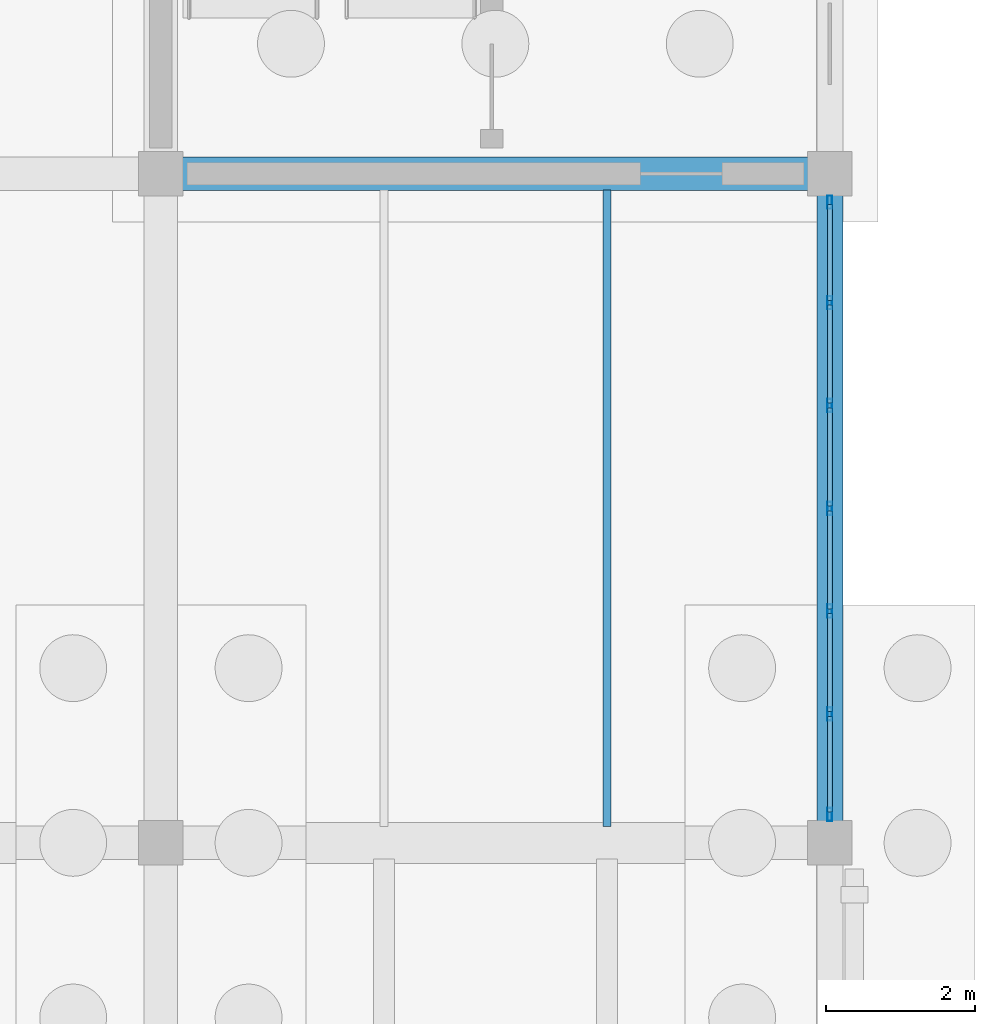
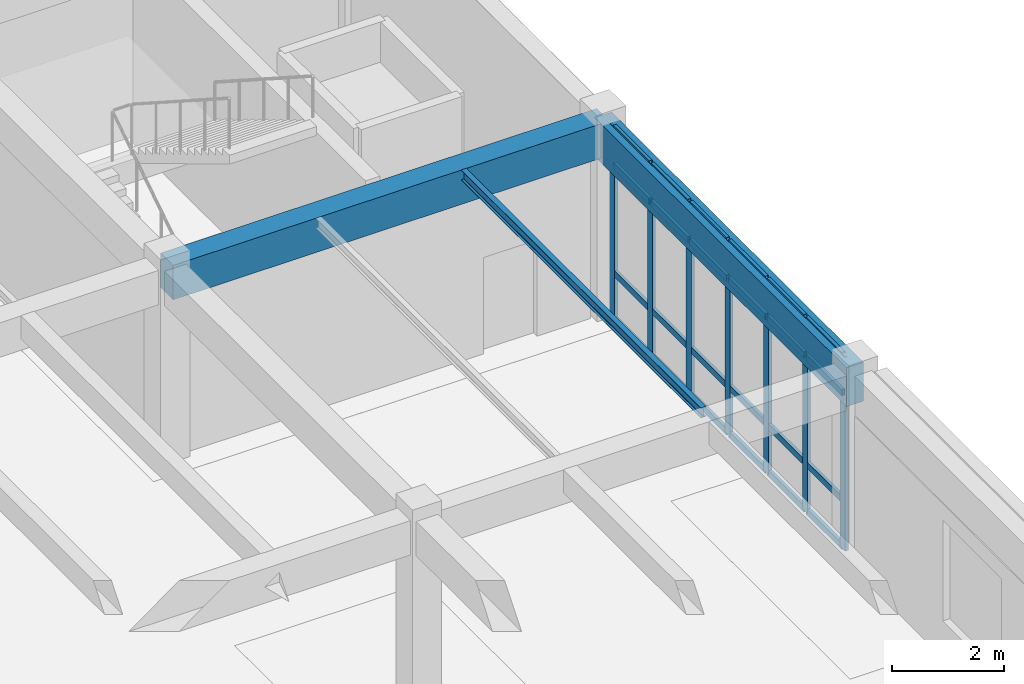
# One storey, part 127 of 186: 31 members, 3 beams, 1 element without a shape of its own.
"""IFC4 building model written with IfcOpenShell, lengths in metres."""

from ifc_helpers import new_model, si_unit, direction, frame, origin, origin_2d, place, context, subcontext, project, spatial, rectangle, hollow_rectangle, i_section, extrude, material, layer, layer_set, material_profile, profile_set, type_object, element, aggregate, save


model = new_model("IFC4")

# Units and contexts
model_context = context("Model", 3, precision=1e-05, world=origin(), true_north=direction((0.0, 1.0)))
body_context = subcontext(model_context, "Body", "Model", "MODEL_VIEW")
ifc_project = project(units=[si_unit("LENGTHUNIT", "METRE"), si_unit("AREAUNIT", "SQUARE_METRE"), si_unit("VOLUMEUNIT", "CUBIC_METRE"), si_unit("PLANEANGLEUNIT", "RADIAN"), si_unit("MASSUNIT", "GRAM", prefix="KILO")], contexts=[model_context])

# Site, building, storey
site_placement = place(None, origin())
site = spatial("IfcSite", under=ifc_project, at=site_placement, CompositionType="ELEMENT")
building_placement = place(site_placement, origin())
building = spatial("IfcBuilding", under=site, at=building_placement, Name="Ornek Quay Market", CompositionType="ELEMENT")
storey_placement = place(building_placement, origin())
storey = spatial("IfcBuildingStorey", under=building, at=storey_placement, Name="L00", CompositionType="ELEMENT", Elevation=0.0)

# Beams
ifc_material_1 = material(Name="Concrete C40/50", Category="concrete")
ifc_material_profile_1 = material_profile(ifc_material_1, rectangle(XDim=0.449951171875, YDim=0.75, at=origin_2d()), Name="RC 450x750", Category="concrete")
ifc_profile_set_1 = profile_set([ifc_material_profile_1], Name="Concrete C40/50")
beam_type_1 = type_object("IfcBeamType", Name="BM-FC-450x750", PredefinedType="BEAM", material=ifc_profile_set_1)
beam_1_placement = place(storey_placement, frame((171.0, 92.0, 3.85498046875), z_axis=(1.0, 0.0, 0.0), x_axis=(0.0, 1.0, 0.0)))
element("IfcBeam", 1, at=beam_1_placement, inside=storey, type_object=beam_type_1, Name="Primary beam B-FC1-023", PredefinedType="BEAM", context=body_context, shape_type="SweptSolid", body=[
    extrude(rectangle(XDim=0.449951171875, YDim=0.75, at=origin_2d()), origin(), (0.0, 0.0, 1.0), 9.0),
])
ifc_material_profile_2 = material_profile(ifc_material_1, rectangle(XDim=0.35009765625, YDim=0.85009765625, at=origin_2d()), Name="RC 350x850", Category="concrete")
ifc_profile_set_2 = profile_set([ifc_material_profile_2], Name="Concrete C40/50")
beam_type_2 = type_object("IfcBeamType", Name="BM-SPN-350x850", PredefinedType="SPANDREL", material=ifc_profile_set_2)
beam_2_placement = place(storey_placement, frame((180.0, 83.0, 3.804931640625), z_axis=(0.0, 1.0, 0.0), x_axis=(-1.0, 0.0, 0.0)))
element("IfcBeam", 2, at=beam_2_placement, inside=storey, type_object=beam_type_2, Name="Primary beam B-SP1-098", PredefinedType="SPANDREL", context=body_context, shape_type="SweptSolid", body=[
    extrude(rectangle(XDim=0.35009765625, YDim=0.85009765625, at=origin_2d()), origin(), (0.0, 0.0, 1.0), 9.0),
])
ifc_material_2 = material(Name="Steel S355", Category="steel")
ifc_material_profile_3 = material_profile(ifc_material_2, i_section(OverallWidth=0.110107421875, OverallDepth=0.219970703125, WebThickness=0.005859375, FlangeThickness=0.00927734375, FilletRadius=0.011962890625, at=origin_2d()), Name="IPE 220", Category="steel")
ifc_profile_set_3 = profile_set([ifc_material_profile_3], Name="Steel S355")
beam_type_3 = type_object("IfcBeamType", Name="BM-STL-IPE220", PredefinedType="JOIST", material=ifc_profile_set_3)
beam_3_placement = place(storey_placement, frame((177.0, 83.217041015625, 4.1201171875), z_axis=(0.0, 1.0, 0.0), x_axis=(-1.0, 0.0, 0.0)))
element("IfcBeam", 3, at=beam_3_placement, inside=storey, type_object=beam_type_3, Name="Secondary joist SB-03-029", PredefinedType="JOIST", context=body_context, shape_type="SweptSolid", body=[
    extrude(i_section(OverallWidth=0.110107421875, OverallDepth=0.219970703125, WebThickness=0.005859375, FlangeThickness=0.00927734375, FilletRadius=0.011962890625, at=origin_2d()), origin(), (0.0, 0.0, 1.0), 8.56591796875),
])

# Curtain wall, members
ifc_material_3 = material(Name="Anodised bronze aluminium and triple low-e glass", Category="aluminium")
ifc_layer = layer(ifc_material_3, 0.18994140625, Name="Anodised bronze aluminium and triple low-e glass", Category="aluminium")
ifc_layer_set = layer_set([ifc_layer], Name="Anodised bronze aluminium and triple low-e glass")
curtain_wall_type = type_object("IfcCurtainWallType", Name="CW-FC-MOD1500", PredefinedType="USERDEFINED", material=ifc_layer_set)
curtain_wall_placement = place(storey_placement, origin())
curtain_wall = element("IfcCurtainWall", 4, at=curtain_wall_placement, inside=storey, type_object=curtain_wall_type, Name="Curtain wall CW-081", ObjectType="CURTAIN WALL", PredefinedType="USERDEFINED")
ifc_material_4 = material(Name="Anodised aluminium 6063-T6", Category="aluminium")
ifc_material_profile_4 = material_profile(ifc_material_4, hollow_rectangle(XDim=0.06494140625, YDim=0.179931640625, WallThickness=0.00439453125, at=origin_2d()), Name="CW-MUL-65x180", Category="aluminium")
ifc_profile_set_4 = profile_set([ifc_material_profile_4], Name="Anodised aluminium 6063-T6")
member_type_1 = type_object("IfcMemberType", Name="CW-MUL-65x180", PredefinedType="MULLION", material=ifc_profile_set_4)
member_1_placement = place(storey_placement, frame((180.0, 83.382568359375, 0.0), z_axis=(0.0, 0.0, 1.0), x_axis=(-1.0, 0.0, 0.0)))
member_1 = element("IfcMember", 5, at=member_1_placement, type_object=member_type_1, Name="CW-081 mullion 1", PredefinedType="MULLION", context=body_context, shape_type="SweptSolid", body=[
    extrude(hollow_rectangle(XDim=0.06494140625, YDim=0.179931640625, WallThickness=0.00439453125, at=origin_2d()), origin(), (0.0, 0.0, 1.0), 4.22998046875),
])
member_2_placement = place(storey_placement, frame((180.0, 84.7333984375, 0.0), z_axis=(0.0, 0.0, 1.0), x_axis=(-1.0, 0.0, 0.0)))
member_2 = element("IfcMember", 6, at=member_2_placement, type_object=member_type_1, Name="CW-081 mullion 2", PredefinedType="MULLION", context=body_context, shape_type="SweptSolid", body=[
    extrude(hollow_rectangle(XDim=0.06494140625, YDim=0.179931640625, WallThickness=0.00439453125, at=origin_2d()), origin(), (0.0, 0.0, 1.0), 4.22998046875),
])
member_3_placement = place(storey_placement, frame((180.0, 86.11669921875, 0.0), z_axis=(0.0, 0.0, 1.0), x_axis=(-1.0, 0.0, 0.0)))
member_3 = element("IfcMember", 7, at=member_3_placement, type_object=member_type_1, Name="CW-081 mullion 3", PredefinedType="MULLION", context=body_context, shape_type="SweptSolid", body=[
    extrude(hollow_rectangle(XDim=0.06494140625, YDim=0.179931640625, WallThickness=0.00439453125, at=origin_2d()), origin(), (0.0, 0.0, 1.0), 4.22998046875),
])
member_4_placement = place(storey_placement, frame((180.0, 87.5, 0.0), z_axis=(0.0, 0.0, 1.0), x_axis=(-1.0, 0.0, 0.0)))
member_4 = element("IfcMember", 8, at=member_4_placement, type_object=member_type_1, Name="CW-081 mullion 4", PredefinedType="MULLION", context=body_context, shape_type="SweptSolid", body=[
    extrude(hollow_rectangle(XDim=0.06494140625, YDim=0.179931640625, WallThickness=0.00439453125, at=origin_2d()), origin(), (0.0, 0.0, 1.0), 4.22998046875),
])
member_5_placement = place(storey_placement, frame((180.0, 88.88330078125, 0.0), z_axis=(0.0, 0.0, 1.0), x_axis=(-1.0, 0.0, 0.0)))
member_5 = element("IfcMember", 9, at=member_5_placement, type_object=member_type_1, Name="CW-081 mullion 5", PredefinedType="MULLION", context=body_context, shape_type="SweptSolid", body=[
    extrude(hollow_rectangle(XDim=0.06494140625, YDim=0.179931640625, WallThickness=0.00439453125, at=origin_2d()), origin(), (0.0, 0.0, 1.0), 4.22998046875),
])
member_6_placement = place(storey_placement, frame((180.0, 90.2666015625, 0.0), z_axis=(0.0, 0.0, 1.0), x_axis=(-1.0, 0.0, 0.0)))
member_6 = element("IfcMember", 10, at=member_6_placement, type_object=member_type_1, Name="CW-081 mullion 6", PredefinedType="MULLION", context=body_context, shape_type="SweptSolid", body=[
    extrude(hollow_rectangle(XDim=0.06494140625, YDim=0.179931640625, WallThickness=0.00439453125, at=origin_2d()), origin(), (0.0, 0.0, 1.0), 4.22998046875),
])
member_7_placement = place(storey_placement, frame((180.0, 91.617431640625, 0.0), z_axis=(0.0, 0.0, 1.0), x_axis=(-1.0, 0.0, 0.0)))
member_7 = element("IfcMember", 11, at=member_7_placement, type_object=member_type_1, Name="CW-081 mullion 7", PredefinedType="MULLION", context=body_context, shape_type="SweptSolid", body=[
    extrude(hollow_rectangle(XDim=0.06494140625, YDim=0.179931640625, WallThickness=0.00439453125, at=origin_2d()), origin(), (0.0, 0.0, 1.0), 4.22998046875),
])
ifc_material_profile_5 = material_profile(ifc_material_4, hollow_rectangle(XDim=0.06494140625, YDim=0.139892578125, WallThickness=0.00439453125, at=origin_2d()), Name="CW-TRN-65x140", Category="aluminium")
ifc_profile_set_5 = profile_set([ifc_material_profile_5], Name="Anodised aluminium 6063-T6")
member_type_2 = type_object("IfcMemberType", Name="CW-TRN-65x140", PredefinedType="USERDEFINED", material=ifc_profile_set_5)
member_8_placement = place(storey_placement, frame((180.0, 83.4150390625, 0.032470703125), z_axis=(0.0, 1.0, 0.0), x_axis=(-1.0, 0.0, 0.0)))
member_8 = element("IfcMember", 12, at=member_8_placement, type_object=member_type_2, Name="CW-081 transom 1.1", ObjectType="TRANSOM", PredefinedType="USERDEFINED", context=body_context, shape_type="SweptSolid", body=[
    extrude(hollow_rectangle(XDim=0.06494140625, YDim=0.139892578125, WallThickness=0.00439453125, at=origin_2d()), origin(), (0.0, 0.0, 1.0), 1.285888671875),
])
member_9_placement = place(storey_placement, frame((180.0, 83.4150390625, 1.050048828125), z_axis=(0.0, 1.0, 0.0), x_axis=(-1.0, 0.0, 0.0)))
member_9 = element("IfcMember", 13, at=member_9_placement, type_object=member_type_2, Name="CW-081 transom 1.2", ObjectType="TRANSOM", PredefinedType="USERDEFINED", context=body_context, shape_type="SweptSolid", body=[
    extrude(hollow_rectangle(XDim=0.06494140625, YDim=0.139892578125, WallThickness=0.00439453125, at=origin_2d()), origin(), (0.0, 0.0, 1.0), 1.285888671875),
])
member_10_placement = place(storey_placement, frame((180.0, 83.4150390625, 3.3798828125), z_axis=(0.0, 1.0, 0.0), x_axis=(-1.0, 0.0, 0.0)))
member_10 = element("IfcMember", 14, at=member_10_placement, type_object=member_type_2, Name="CW-081 transom 1.3", ObjectType="TRANSOM", PredefinedType="USERDEFINED", context=body_context, shape_type="SweptSolid", body=[
    extrude(hollow_rectangle(XDim=0.06494140625, YDim=0.139892578125, WallThickness=0.00439453125, at=origin_2d()), origin(), (0.0, 0.0, 1.0), 1.285888671875),
])
member_11_placement = place(storey_placement, frame((180.0, 83.4150390625, 4.197509765625), z_axis=(0.0, 1.0, 0.0), x_axis=(-1.0, 0.0, 0.0)))
member_11 = element("IfcMember", 15, at=member_11_placement, type_object=member_type_2, Name="CW-081 transom 1.4", ObjectType="TRANSOM", PredefinedType="USERDEFINED", context=body_context, shape_type="SweptSolid", body=[
    extrude(hollow_rectangle(XDim=0.06494140625, YDim=0.139892578125, WallThickness=0.00439453125, at=origin_2d()), origin(), (0.0, 0.0, 1.0), 1.285888671875),
])
member_12_placement = place(storey_placement, frame((180.0, 84.765869140625, 0.032470703125), z_axis=(0.0, 1.0, 0.0), x_axis=(-1.0, 0.0, 0.0)))
member_12 = element("IfcMember", 16, at=member_12_placement, type_object=member_type_2, Name="CW-081 transom 2.1", ObjectType="TRANSOM", PredefinedType="USERDEFINED", context=body_context, shape_type="SweptSolid", body=[
    extrude(hollow_rectangle(XDim=0.06494140625, YDim=0.139892578125, WallThickness=0.00439453125, at=origin_2d()), origin(), (0.0, 0.0, 1.0), 1.318359375),
])
member_13_placement = place(storey_placement, frame((180.0, 84.765869140625, 1.050048828125), z_axis=(0.0, 1.0, 0.0), x_axis=(-1.0, 0.0, 0.0)))
member_13 = element("IfcMember", 17, at=member_13_placement, type_object=member_type_2, Name="CW-081 transom 2.2", ObjectType="TRANSOM", PredefinedType="USERDEFINED", context=body_context, shape_type="SweptSolid", body=[
    extrude(hollow_rectangle(XDim=0.06494140625, YDim=0.139892578125, WallThickness=0.00439453125, at=origin_2d()), origin(), (0.0, 0.0, 1.0), 1.318359375),
])
member_14_placement = place(storey_placement, frame((180.0, 84.765869140625, 3.3798828125), z_axis=(0.0, 1.0, 0.0), x_axis=(-1.0, 0.0, 0.0)))
member_14 = element("IfcMember", 18, at=member_14_placement, type_object=member_type_2, Name="CW-081 transom 2.3", ObjectType="TRANSOM", PredefinedType="USERDEFINED", context=body_context, shape_type="SweptSolid", body=[
    extrude(hollow_rectangle(XDim=0.06494140625, YDim=0.139892578125, WallThickness=0.00439453125, at=origin_2d()), origin(), (0.0, 0.0, 1.0), 1.318359375),
])
member_15_placement = place(storey_placement, frame((180.0, 84.765869140625, 4.197509765625), z_axis=(0.0, 1.0, 0.0), x_axis=(-1.0, 0.0, 0.0)))
member_15 = element("IfcMember", 19, at=member_15_placement, type_object=member_type_2, Name="CW-081 transom 2.4", ObjectType="TRANSOM", PredefinedType="USERDEFINED", context=body_context, shape_type="SweptSolid", body=[
    extrude(hollow_rectangle(XDim=0.06494140625, YDim=0.139892578125, WallThickness=0.00439453125, at=origin_2d()), origin(), (0.0, 0.0, 1.0), 1.318359375),
])
member_16_placement = place(storey_placement, frame((180.0, 86.149169921875, 0.032470703125), z_axis=(0.0, 1.0, 0.0), x_axis=(-1.0, 0.0, 0.0)))
member_16 = element("IfcMember", 20, at=member_16_placement, type_object=member_type_2, Name="CW-081 transom 3.1", ObjectType="TRANSOM", PredefinedType="USERDEFINED", context=body_context, shape_type="SweptSolid", body=[
    extrude(hollow_rectangle(XDim=0.06494140625, YDim=0.139892578125, WallThickness=0.00439453125, at=origin_2d()), origin(), (0.0, 0.0, 1.0), 1.318359375),
])
member_17_placement = place(storey_placement, frame((180.0, 86.149169921875, 1.050048828125), z_axis=(0.0, 1.0, 0.0), x_axis=(-1.0, 0.0, 0.0)))
member_17 = element("IfcMember", 21, at=member_17_placement, type_object=member_type_2, Name="CW-081 transom 3.2", ObjectType="TRANSOM", PredefinedType="USERDEFINED", context=body_context, shape_type="SweptSolid", body=[
    extrude(hollow_rectangle(XDim=0.06494140625, YDim=0.139892578125, WallThickness=0.00439453125, at=origin_2d()), origin(), (0.0, 0.0, 1.0), 1.318359375),
])
member_18_placement = place(storey_placement, frame((180.0, 86.149169921875, 3.3798828125), z_axis=(0.0, 1.0, 0.0), x_axis=(-1.0, 0.0, 0.0)))
member_18 = element("IfcMember", 22, at=member_18_placement, type_object=member_type_2, Name="CW-081 transom 3.3", ObjectType="TRANSOM", PredefinedType="USERDEFINED", context=body_context, shape_type="SweptSolid", body=[
    extrude(hollow_rectangle(XDim=0.06494140625, YDim=0.139892578125, WallThickness=0.00439453125, at=origin_2d()), origin(), (0.0, 0.0, 1.0), 1.318359375),
])
member_19_placement = place(storey_placement, frame((180.0, 86.149169921875, 4.197509765625), z_axis=(0.0, 1.0, 0.0), x_axis=(-1.0, 0.0, 0.0)))
member_19 = element("IfcMember", 23, at=member_19_placement, type_object=member_type_2, Name="CW-081 transom 3.4", ObjectType="TRANSOM", PredefinedType="USERDEFINED", context=body_context, shape_type="SweptSolid", body=[
    extrude(hollow_rectangle(XDim=0.06494140625, YDim=0.139892578125, WallThickness=0.00439453125, at=origin_2d()), origin(), (0.0, 0.0, 1.0), 1.318359375),
])
member_20_placement = place(storey_placement, frame((180.0, 87.532470703125, 0.032470703125), z_axis=(0.0, 1.0, 0.0), x_axis=(-1.0, 0.0, 0.0)))
member_20 = element("IfcMember", 24, at=member_20_placement, type_object=member_type_2, Name="CW-081 transom 4.1", ObjectType="TRANSOM", PredefinedType="USERDEFINED", context=body_context, shape_type="SweptSolid", body=[
    extrude(hollow_rectangle(XDim=0.06494140625, YDim=0.139892578125, WallThickness=0.00439453125, at=origin_2d()), origin(), (0.0, 0.0, 1.0), 1.318359375),
])
member_21_placement = place(storey_placement, frame((180.0, 87.532470703125, 1.050048828125), z_axis=(0.0, 1.0, 0.0), x_axis=(-1.0, 0.0, 0.0)))
member_21 = element("IfcMember", 25, at=member_21_placement, type_object=member_type_2, Name="CW-081 transom 4.2", ObjectType="TRANSOM", PredefinedType="USERDEFINED", context=body_context, shape_type="SweptSolid", body=[
    extrude(hollow_rectangle(XDim=0.06494140625, YDim=0.139892578125, WallThickness=0.00439453125, at=origin_2d()), origin(), (0.0, 0.0, 1.0), 1.318359375),
])
member_22_placement = place(storey_placement, frame((180.0, 87.532470703125, 3.3798828125), z_axis=(0.0, 1.0, 0.0), x_axis=(-1.0, 0.0, 0.0)))
member_22 = element("IfcMember", 26, at=member_22_placement, type_object=member_type_2, Name="CW-081 transom 4.3", ObjectType="TRANSOM", PredefinedType="USERDEFINED", context=body_context, shape_type="SweptSolid", body=[
    extrude(hollow_rectangle(XDim=0.06494140625, YDim=0.139892578125, WallThickness=0.00439453125, at=origin_2d()), origin(), (0.0, 0.0, 1.0), 1.318359375),
])
member_23_placement = place(storey_placement, frame((180.0, 87.532470703125, 4.197509765625), z_axis=(0.0, 1.0, 0.0), x_axis=(-1.0, 0.0, 0.0)))
member_23 = element("IfcMember", 27, at=member_23_placement, type_object=member_type_2, Name="CW-081 transom 4.4", ObjectType="TRANSOM", PredefinedType="USERDEFINED", context=body_context, shape_type="SweptSolid", body=[
    extrude(hollow_rectangle(XDim=0.06494140625, YDim=0.139892578125, WallThickness=0.00439453125, at=origin_2d()), origin(), (0.0, 0.0, 1.0), 1.318359375),
])
member_24_placement = place(storey_placement, frame((180.0, 88.915771484375, 0.032470703125), z_axis=(0.0, 1.0, 0.0), x_axis=(-1.0, 0.0, 0.0)))
member_24 = element("IfcMember", 28, at=member_24_placement, type_object=member_type_2, Name="CW-081 transom 5.1", ObjectType="TRANSOM", PredefinedType="USERDEFINED", context=body_context, shape_type="SweptSolid", body=[
    extrude(hollow_rectangle(XDim=0.06494140625, YDim=0.139892578125, WallThickness=0.00439453125, at=origin_2d()), origin(), (0.0, 0.0, 1.0), 1.318359375),
])
member_25_placement = place(storey_placement, frame((180.0, 88.915771484375, 1.050048828125), z_axis=(0.0, 1.0, 0.0), x_axis=(-1.0, 0.0, 0.0)))
member_25 = element("IfcMember", 29, at=member_25_placement, type_object=member_type_2, Name="CW-081 transom 5.2", ObjectType="TRANSOM", PredefinedType="USERDEFINED", context=body_context, shape_type="SweptSolid", body=[
    extrude(hollow_rectangle(XDim=0.06494140625, YDim=0.139892578125, WallThickness=0.00439453125, at=origin_2d()), origin(), (0.0, 0.0, 1.0), 1.318359375),
])
member_26_placement = place(storey_placement, frame((180.0, 88.915771484375, 3.3798828125), z_axis=(0.0, 1.0, 0.0), x_axis=(-1.0, 0.0, 0.0)))
member_26 = element("IfcMember", 30, at=member_26_placement, type_object=member_type_2, Name="CW-081 transom 5.3", ObjectType="TRANSOM", PredefinedType="USERDEFINED", context=body_context, shape_type="SweptSolid", body=[
    extrude(hollow_rectangle(XDim=0.06494140625, YDim=0.139892578125, WallThickness=0.00439453125, at=origin_2d()), origin(), (0.0, 0.0, 1.0), 1.318359375),
])
member_27_placement = place(storey_placement, frame((180.0, 88.915771484375, 4.197509765625), z_axis=(0.0, 1.0, 0.0), x_axis=(-1.0, 0.0, 0.0)))
member_27 = element("IfcMember", 31, at=member_27_placement, type_object=member_type_2, Name="CW-081 transom 5.4", ObjectType="TRANSOM", PredefinedType="USERDEFINED", context=body_context, shape_type="SweptSolid", body=[
    extrude(hollow_rectangle(XDim=0.06494140625, YDim=0.139892578125, WallThickness=0.00439453125, at=origin_2d()), origin(), (0.0, 0.0, 1.0), 1.318359375),
])
member_28_placement = place(storey_placement, frame((180.0, 90.299072265625, 0.032470703125), z_axis=(0.0, 1.0, 0.0), x_axis=(-1.0, 0.0, 0.0)))
member_28 = element("IfcMember", 32, at=member_28_placement, type_object=member_type_2, Name="CW-081 transom 6.1", ObjectType="TRANSOM", PredefinedType="USERDEFINED", context=body_context, shape_type="SweptSolid", body=[
    extrude(hollow_rectangle(XDim=0.06494140625, YDim=0.139892578125, WallThickness=0.00439453125, at=origin_2d()), origin(), (0.0, 0.0, 1.0), 1.285888671875),
])
member_29_placement = place(storey_placement, frame((180.0, 90.299072265625, 1.050048828125), z_axis=(0.0, 1.0, 0.0), x_axis=(-1.0, 0.0, 0.0)))
member_29 = element("IfcMember", 33, at=member_29_placement, type_object=member_type_2, Name="CW-081 transom 6.2", ObjectType="TRANSOM", PredefinedType="USERDEFINED", context=body_context, shape_type="SweptSolid", body=[
    extrude(hollow_rectangle(XDim=0.06494140625, YDim=0.139892578125, WallThickness=0.00439453125, at=origin_2d()), origin(), (0.0, 0.0, 1.0), 1.285888671875),
])
member_30_placement = place(storey_placement, frame((180.0, 90.299072265625, 3.3798828125), z_axis=(0.0, 1.0, 0.0), x_axis=(-1.0, 0.0, 0.0)))
member_30 = element("IfcMember", 34, at=member_30_placement, type_object=member_type_2, Name="CW-081 transom 6.3", ObjectType="TRANSOM", PredefinedType="USERDEFINED", context=body_context, shape_type="SweptSolid", body=[
    extrude(hollow_rectangle(XDim=0.06494140625, YDim=0.139892578125, WallThickness=0.00439453125, at=origin_2d()), origin(), (0.0, 0.0, 1.0), 1.285888671875),
])
member_31_placement = place(storey_placement, frame((180.0, 90.299072265625, 4.197509765625), z_axis=(0.0, 1.0, 0.0), x_axis=(-1.0, 0.0, 0.0)))
member_31 = element("IfcMember", 35, at=member_31_placement, type_object=member_type_2, Name="CW-081 transom 6.4", ObjectType="TRANSOM", PredefinedType="USERDEFINED", context=body_context, shape_type="SweptSolid", body=[
    extrude(hollow_rectangle(XDim=0.06494140625, YDim=0.139892578125, WallThickness=0.00439453125, at=origin_2d()), origin(), (0.0, 0.0, 1.0), 1.285888671875),
])
aggregate(curtain_wall, [member_1, member_2, member_3, member_4, member_5, member_6, member_7, member_8, member_9, member_10, member_11, member_12, member_13, member_14, member_15, member_16, member_17, member_18, member_19, member_20, member_21, member_22, member_23, member_24, member_25, member_26, member_27, member_28, member_29, member_30, member_31])

save(model, "model.ifc")
